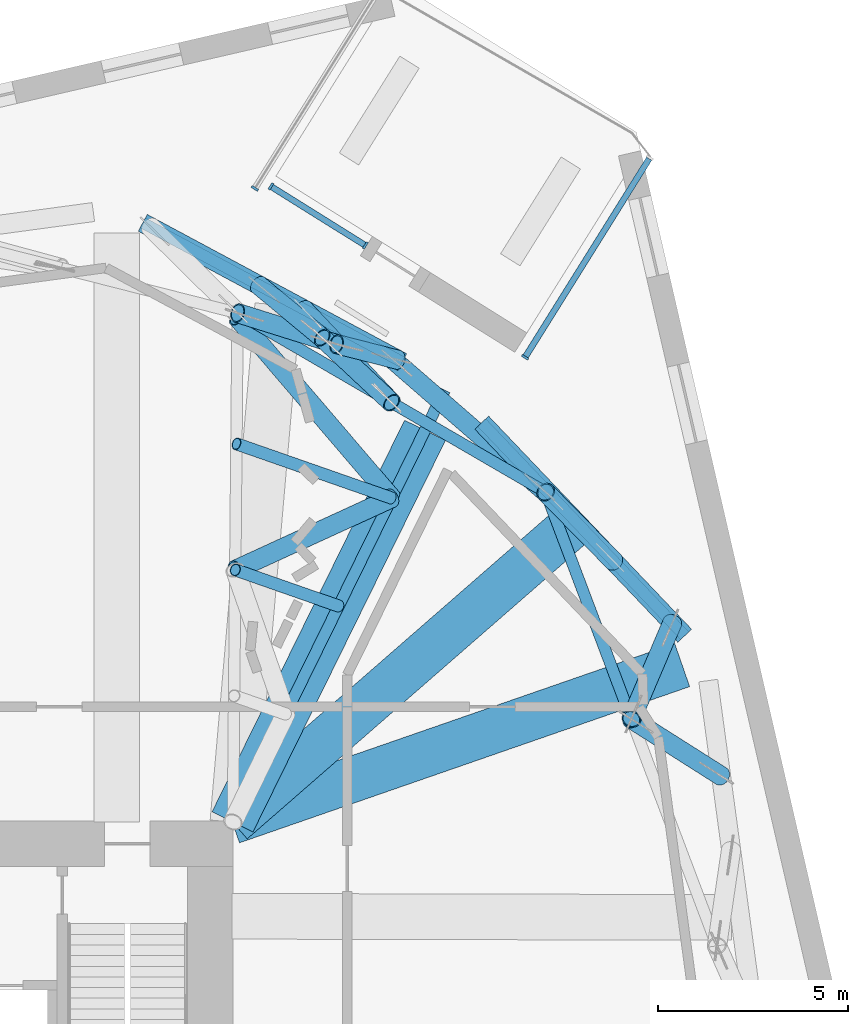
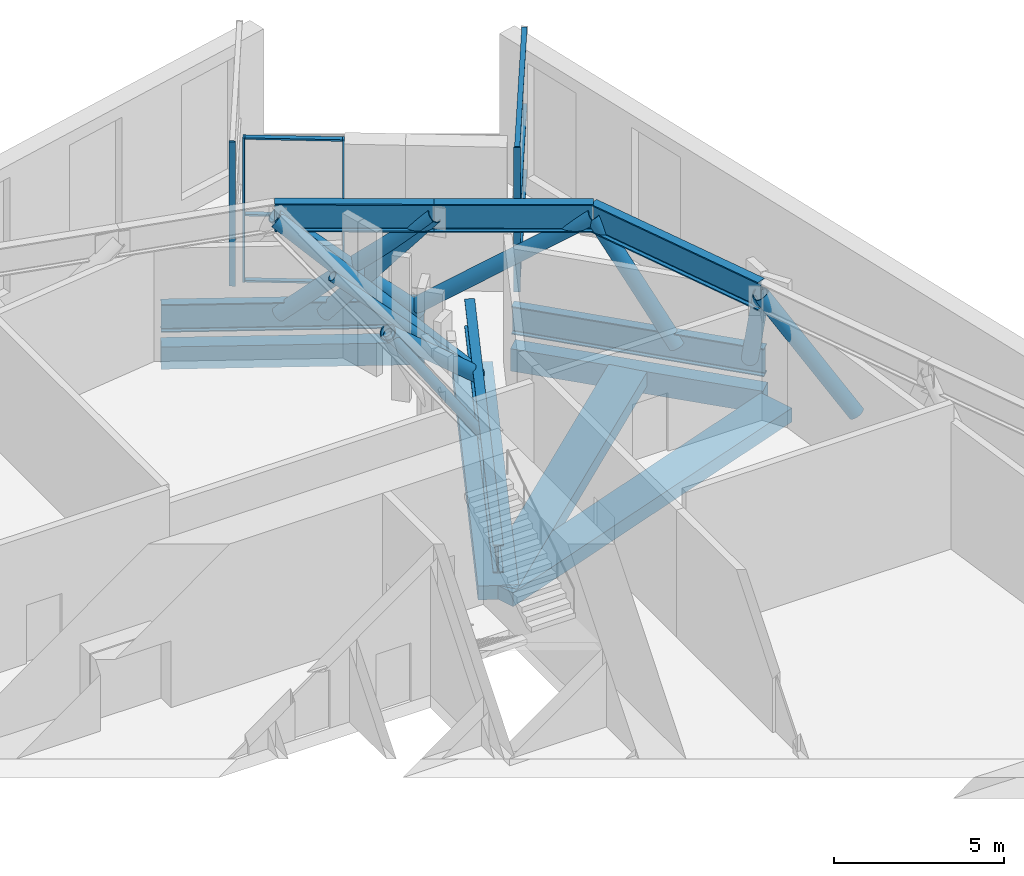
# One storey, part 4 of 17: 23 members, 11 beams, 3 elements without a shape of their own.
"""IFC4 building model written with IfcOpenShell, lengths in metres."""

from ifc_helpers import new_model, si_unit, direction, frame, origin, origin_2d, place, context, subcontext, project, spatial, rectangle, hollow_circle, i_section, extrude, material, material_profile, profile_set, type_object, element, aggregate, save


model = new_model("IFC4")

# Units and contexts
model_context = context("Model", 3, precision=1e-05, world=origin(), true_north=direction((0.0, 1.0)))
body_context = subcontext(model_context, "Body", "Model", "MODEL_VIEW")
ifc_project = project(units=[si_unit("LENGTHUNIT", "METRE"), si_unit("AREAUNIT", "SQUARE_METRE"), si_unit("VOLUMEUNIT", "CUBIC_METRE"), si_unit("PLANEANGLEUNIT", "RADIAN"), si_unit("MASSUNIT", "GRAM", prefix="KILO")], contexts=[model_context])

# Site, building, storey
site_placement = place(None, origin())
site = spatial("IfcSite", under=ifc_project, at=site_placement, CompositionType="ELEMENT")
building_placement = place(site_placement, origin())
building = spatial("IfcBuilding", under=site, at=building_placement, Name="Dilmun Exchange Tower", CompositionType="ELEMENT")
storey_placement = place(building_placement, frame((0.0, 0.0, 76.5)))
storey = spatial("IfcBuildingStorey", under=building, at=storey_placement, Name="L17", CompositionType="ELEMENT", Elevation=76.5)

# Curtain wall, member
ifc_material_1 = material(Name="Anodised aluminium and clear glass", Category="aluminium")
curtain_wall_type = type_object("IfcCurtainWallType", Name="Garden corner glazing", PredefinedType="NOTDEFINED", material=ifc_material_1)
curtain_wall_1_placement = place(storey_placement, origin())
curtain_wall_1 = element("IfcCurtainWall", 1, at=curtain_wall_1_placement, inside=storey, type_object=curtain_wall_type, Name="Garden corner glazing run GC1.1", PredefinedType="NOTDEFINED")
ifc_material_2 = material(Name="Anodised aluminium", Category="aluminium")
ifc_material_profile_1 = material_profile(ifc_material_2, rectangle(XDim=0.199951171875, YDim=0.06005859375, at=origin_2d()), Name="AL 60x200")
ifc_profile_set_1 = profile_set([ifc_material_profile_1], Name="Anodised aluminium")
member_type_1 = type_object("IfcMemberType", Name="Garden corner glazing mullion 60 x 200", PredefinedType="MULLION", material=ifc_profile_set_1)
member_1_placement = place(storey_placement, frame((20.679931640625, 25.189697265625, 0.0), z_axis=(0.0, 0.0, 1.0), x_axis=(0.8480495651, -0.529916913426, 0.0)))
member_1 = element("IfcMember", 2, at=member_1_placement, type_object=member_type_1, Name="GC1.1 mullion 2", PredefinedType="MULLION", context=body_context, shape_type="SweptSolid", body=[
    extrude(rectangle(XDim=0.199951171875, YDim=0.06005859375, at=origin_2d()), origin(), (0.0, 0.0, 1.0), 5.179931640625),
])

# Curtain wall, members
curtain_wall_2_placement = place(storey_placement, origin())
curtain_wall_2 = element("IfcCurtainWall", 3, at=curtain_wall_2_placement, inside=storey, type_object=curtain_wall_type, Name="Garden corner glazing run GC2.3", PredefinedType="NOTDEFINED")
member_2_placement = place(storey_placement, frame((16.48193359375, 28.131591796875, 0.0), z_axis=(0.0, 0.0, 1.0), x_axis=(-0.529899697959, -0.848060322207, 0.0)))
member_2 = element("IfcMember", 4, at=member_2_placement, type_object=member_type_1, Name="GC2.3 mullion 1", PredefinedType="MULLION", context=body_context, shape_type="SweptSolid", body=[
    extrude(rectangle(XDim=0.199951171875, YDim=0.06005859375, at=origin_2d()), origin(), (0.0, 0.0, 1.0), 5.179931640625),
])
member_3_placement = place(storey_placement, frame((13.997802734375, 29.68359375, 0.0), z_axis=(0.0, 0.0, 1.0), x_axis=(-0.529899697959, -0.848060322207, 0.0)))
member_3 = element("IfcMember", 5, at=member_3_placement, type_object=member_type_1, Name="GC2.3 mullion 2", PredefinedType="MULLION", context=body_context, shape_type="SweptSolid", body=[
    extrude(rectangle(XDim=0.199951171875, YDim=0.06005859375, at=origin_2d()), origin(), (0.0, 0.0, 1.0), 5.179931640625),
])

# Curtain wall, member
curtain_wall_3_placement = place(storey_placement, origin())
curtain_wall_3 = element("IfcCurtainWall", 6, at=curtain_wall_3_placement, inside=storey, type_object=curtain_wall_type, Name="Garden corner glazing run GC3.1", PredefinedType="NOTDEFINED")
member_4_placement = place(storey_placement, frame((13.574951171875, 29.629638671875, 0.0), z_axis=(0.0, 0.0, 1.0), x_axis=(-0.8480495651, 0.529916913426, 0.0)))
member_4 = element("IfcMember", 7, at=member_4_placement, type_object=member_type_1, Name="GC3.1 mullion 1", PredefinedType="MULLION", context=body_context, shape_type="SweptSolid", body=[
    extrude(rectangle(XDim=0.199951171875, YDim=0.06005859375, at=origin_2d()), origin(), (0.0, 0.0, 1.0), 5.179931640625),
])
aggregate(curtain_wall_3, [member_4])

# Member
ifc_material_profile_2 = material_profile(ifc_material_2, rectangle(XDim=0.159912109375, YDim=0.06005859375, at=origin_2d()), Name="AL 60x160")
ifc_profile_set_2 = profile_set([ifc_material_profile_2], Name="Anodised aluminium")
member_type_2 = type_object("IfcMemberType", Name="Garden corner glazing transom 60 x 160", PredefinedType="USERDEFINED", material=ifc_profile_set_2)
member_5_placement = place(storey_placement, frame((23.9423828125, 30.41064453125, 0.030029296875), z_axis=(-0.529923715671, -0.848045314573, 0.0), x_axis=(0.848045314573, -0.529923715671, 0.0)))
member_5 = element("IfcMember", 8, at=member_5_placement, type_object=member_type_2, Name="GC1.1 transom 1.1", ObjectType="TRANSOM", PredefinedType="USERDEFINED", context=body_context, shape_type="SweptSolid", body=[
    extrude(rectangle(XDim=0.159912109375, YDim=0.06005859375, at=origin_2d()), origin(), (0.0, 0.0, 1.0), 6.12646484375),
])

member_6_placement = place(storey_placement, frame((23.9423828125, 30.41064453125, 2.39990234375), z_axis=(-0.529923715671, -0.848045314573, 0.0), x_axis=(0.848045314573, -0.529923715671, 0.0)))
member_6 = element("IfcMember", 9, at=member_6_placement, type_object=member_type_2, Name="GC1.1 transom 1.2", ObjectType="TRANSOM", PredefinedType="USERDEFINED", context=body_context, shape_type="SweptSolid", body=[
    extrude(rectangle(XDim=0.159912109375, YDim=0.06005859375, at=origin_2d()), origin(), (0.0, 0.0, 1.0), 6.12646484375),
])

member_7_placement = place(storey_placement, frame((23.9423828125, 30.41064453125, 5.14990234375), z_axis=(-0.529923715671, -0.848045314573, 0.0), x_axis=(0.848045314573, -0.529923715671, 0.0)))
member_7 = element("IfcMember", 10, at=member_7_placement, type_object=member_type_2, Name="GC1.1 transom 1.3", ObjectType="TRANSOM", PredefinedType="USERDEFINED", context=body_context, shape_type="SweptSolid", body=[
    extrude(rectangle(XDim=0.159912109375, YDim=0.06005859375, at=origin_2d()), origin(), (0.0, 0.0, 1.0), 6.12646484375),
])

aggregate(curtain_wall_1, [member_1, member_5, member_6, member_7])

member_8_placement = place(storey_placement, frame((16.456298828125, 28.1474609375, 0.030029296875), z_axis=(-0.848065226563, 0.529891848867, 0.0), x_axis=(-0.529891848867, -0.848065226563, 0.0)))
member_8 = element("IfcMember", 11, at=member_8_placement, type_object=member_type_2, Name="GC2.3 transom 1.1", ObjectType="TRANSOM", PredefinedType="USERDEFINED", context=body_context, shape_type="SweptSolid", body=[
    extrude(rectangle(XDim=0.159912109375, YDim=0.06005859375, at=origin_2d()), origin(), (0.0, 0.0, 1.0), 2.868896484375),
])

member_9_placement = place(storey_placement, frame((16.456298828125, 28.1474609375, 2.39990234375), z_axis=(-0.848065226563, 0.529891848867, 0.0), x_axis=(-0.529891848867, -0.848065226563, 0.0)))
member_9 = element("IfcMember", 12, at=member_9_placement, type_object=member_type_2, Name="GC2.3 transom 1.2", ObjectType="TRANSOM", PredefinedType="USERDEFINED", context=body_context, shape_type="SweptSolid", body=[
    extrude(rectangle(XDim=0.159912109375, YDim=0.06005859375, at=origin_2d()), origin(), (0.0, 0.0, 1.0), 2.868896484375),
])

member_10_placement = place(storey_placement, frame((16.456298828125, 28.1474609375, 5.14990234375), z_axis=(-0.848065226563, 0.529891848867, 0.0), x_axis=(-0.529891848867, -0.848065226563, 0.0)))
member_10 = element("IfcMember", 13, at=member_10_placement, type_object=member_type_2, Name="GC2.3 transom 1.3", ObjectType="TRANSOM", PredefinedType="USERDEFINED", context=body_context, shape_type="SweptSolid", body=[
    extrude(rectangle(XDim=0.159912109375, YDim=0.06005859375, at=origin_2d()), origin(), (0.0, 0.0, 1.0), 2.868896484375),
])

aggregate(curtain_wall_2, [member_2, member_3, member_8, member_9, member_10])

# Beams
ifc_material_3 = material(Name="Concrete C40/50", Category="concrete")
ifc_material_profile_3 = material_profile(ifc_material_3, rectangle(XDim=1.199951171875, YDim=0.5, at=origin_2d()), Name="1200 x 500")
ifc_profile_set_3 = profile_set([ifc_material_profile_3], Name="Concrete C40/50")
beam_type_1 = type_object("IfcBeamType", Name="RC band beam 1200 x 500 C40/50", PredefinedType="BEAM", material=ifc_profile_set_3)
beam_1_placement = place(storey_placement, frame((18.049560546875, 23.272216796875, -0.699951171875), z_axis=(-0.44116009834, -0.897428419225, 0.0), x_axis=(0.897428419225, -0.44116009834, 0.0)))
element("IfcBeam", 14, at=beam_1_placement, inside=storey, type_object=beam_type_1, Name="Band beam 1", PredefinedType="BEAM", context=body_context, shape_type="SweptSolid", body=[
    extrude(rectangle(XDim=1.199951171875, YDim=0.5, at=origin_2d()), origin(), (0.0, 0.0, 1.0), 11.47314453125),
])
beam_2_placement = place(storey_placement, frame((24.81103515625, 17.098388671875, -0.699951171875), z_axis=(-0.94474023201, -0.327819910959, 0.0), x_axis=(0.327819910959, -0.94474023201, 0.0)))
element("IfcBeam", 15, at=beam_2_placement, inside=storey, type_object=beam_type_1, Name="Band beam 16", PredefinedType="BEAM", context=body_context, shape_type="SweptSolid", body=[
    extrude(rectangle(XDim=1.199951171875, YDim=0.5, at=origin_2d()), origin(), (0.0, 0.0, 1.0), 12.52880859375),
])
beam_3_placement = place(storey_placement, frame((21.85546875, 20.71826171875, -0.699951171875), z_axis=(-0.75384567582, -0.657051517803, 0.0), x_axis=(0.657051517803, -0.75384567582, 0.0)))
element("IfcBeam", 16, at=beam_3_placement, inside=storey, type_object=beam_type_1, Name="Band beam 32", PredefinedType="BEAM", context=body_context, shape_type="SweptSolid", body=[
    extrude(rectangle(XDim=1.199951171875, YDim=0.5, at=origin_2d()), origin(), (0.0, 0.0, 1.0), 11.77392578125),
])
ifc_material_profile_4 = material_profile(ifc_material_3, rectangle(XDim=0.5, YDim=0.800048828125, at=origin_2d()), Name="500 x 800")
ifc_profile_set_4 = profile_set([ifc_material_profile_4], Name="Concrete C40/50")
beam_type_2 = type_object("IfcBeamType", Name="RC ring beam 500 x 800 C40/50", PredefinedType="SPANDREL", material=ifc_profile_set_4)
beam_4_placement = place(storey_placement, frame((17.44921875, 25.06640625, -0.85009765625), z_axis=(-0.881161870548, 0.472814718354, 0.0), x_axis=(-0.472814718354, -0.881161870548, 0.0)))
element("IfcBeam", 17, at=beam_4_placement, inside=storey, type_object=beam_type_2, Name="Ring beam 1", PredefinedType="SPANDREL", context=body_context, shape_type="SweptSolid", body=[
    extrude(rectangle(XDim=0.5, YDim=0.800048828125, at=origin_2d()), origin(), (0.0, 0.0, 1.0), 7.74072265625),
])
beam_5_placement = place(storey_placement, frame((24.877197265625, 17.86865234375, -0.85009765625), z_axis=(-0.689624451134, 0.724167188154, 0.0), x_axis=(-0.724167188154, -0.689624451134, 0.0)))
element("IfcBeam", 18, at=beam_5_placement, inside=storey, type_object=beam_type_2, Name="Ring beam 16", PredefinedType="SPANDREL", context=body_context, shape_type="SweptSolid", body=[
    extrude(rectangle(XDim=0.5, YDim=0.800048828125, at=origin_2d()), origin(), (0.0, 0.0, 1.0), 7.7392578125),
])
ifc_material_4 = material(Name="Steel S355", Category="steel")
ifc_material_profile_5 = material_profile(ifc_material_4, i_section(OverallWidth=0.300048828125, OverallDepth=1.0, WebThickness=0.01904296875, FlangeThickness=0.035888671875, FilletRadius=0.030029296875, at=origin_2d()), Name="HEB 1000")
ifc_profile_set_5 = profile_set([ifc_material_profile_5], Name="Steel S355")
beam_type_3 = type_object("IfcBeamType", Name="belt bottom chord HEB 1000", PredefinedType="BEAM", material=ifc_profile_set_5)
beam_6_placement = place(storey_placement, frame((17.44921875, 25.06640625, 0.5), z_axis=(-0.881161870548, 0.472814718354, 0.0), x_axis=(-0.472814718354, -0.881161870548, 0.0)))
element("IfcBeam", 19, at=beam_6_placement, inside=storey, type_object=beam_type_3, Name="Belt bottom chord 1", PredefinedType="BEAM", context=body_context, shape_type="SweptSolid", body=[
    extrude(i_section(OverallWidth=0.300048828125, OverallDepth=1.0, WebThickness=0.01904296875, FlangeThickness=0.035888671875, FilletRadius=0.030029296875, at=origin_2d()), origin(), (0.0, 0.0, 1.0), 7.74072265625),
])
beam_7_placement = place(storey_placement, frame((24.877197265625, 17.86865234375, 0.5), z_axis=(-0.689624451134, 0.724167188154, 0.0), x_axis=(-0.724167188154, -0.689624451134, 0.0)))
element("IfcBeam", 20, at=beam_7_placement, inside=storey, type_object=beam_type_3, Name="Belt bottom chord 16", PredefinedType="BEAM", context=body_context, shape_type="SweptSolid", body=[
    extrude(i_section(OverallWidth=0.300048828125, OverallDepth=1.0, WebThickness=0.01904296875, FlangeThickness=0.035888671875, FilletRadius=0.030029296875, at=origin_2d()), origin(), (0.0, 0.0, 1.0), 7.7392578125),
])
ifc_material_profile_6 = material_profile(ifc_material_4, i_section(OverallWidth=0.300048828125, OverallDepth=1.0, WebThickness=0.01904296875, FlangeThickness=0.035888671875, FilletRadius=0.030029296875, at=origin_2d()), Name="HEB 1000")
ifc_profile_set_6 = profile_set([ifc_material_profile_6], Name="Steel S355")
beam_type_4 = type_object("IfcBeamType", Name="outrigger chord HEB 1000", PredefinedType="BEAM", material=ifc_profile_set_6)
beam_8_placement = place(storey_placement, frame((12.988037109375, 12.975830078125, 0.5), z_axis=(0.44114230159, 0.897437167577, 0.0), x_axis=(-0.897437167577, 0.44114230159, 0.0)))
element("IfcBeam", 21, at=beam_8_placement, inside=storey, type_object=beam_type_4, Name="Outrigger bottom chord 1", PredefinedType="BEAM", context=body_context, shape_type="SweptSolid", body=[
    extrude(i_section(OverallWidth=0.300048828125, OverallDepth=1.0, WebThickness=0.01904296875, FlangeThickness=0.035888671875, FilletRadius=0.030029296875, at=origin_2d()), origin(), (0.0, 0.0, 1.0), 12.64794921875),
])

# Members
ifc_material_profile_7 = material_profile(ifc_material_4, hollow_circle(Radius=0.161865234375, WallThickness=0.01611328125, at=origin_2d()), Name="CHS 323.9x16")
ifc_profile_set_7 = profile_set([ifc_material_profile_7], Name="Steel S355")
member_type_3 = type_object("IfcMemberType", Name="outrigger post CHS 323.9x16", PredefinedType="POST", material=ifc_profile_set_7)
member_11_placement = place(storey_placement, frame((13.060302734375, 19.6015625, 4.580078125), z_axis=(0.544210107811, -0.190334197261, -0.817072978325), x_axis=(0.330135105333, 0.943933690588, 0.0)))
element("IfcMember", 22, at=member_11_placement, inside=storey, type_object=member_type_3, Name="Outrigger post 1.2", PredefinedType="POST", context=body_context, shape_type="SweptSolid", body=[
    extrude(hollow_circle(Radius=0.161865234375, WallThickness=0.01611328125, at=origin_2d()), origin(), (0.0, 0.0, 1.0), 4.993408203125),
])
member_12_placement = place(storey_placement, frame((13.090576171875, 22.915771484375, 4.580078125), z_axis=(0.686628838377, -0.239977210183, -0.686259263618), x_axis=(0.32993042781, 0.944005250412, 0.0)))
element("IfcMember", 23, at=member_12_placement, inside=storey, type_object=member_type_3, Name="Outrigger post 1.3", PredefinedType="POST", context=body_context, shape_type="SweptSolid", body=[
    extrude(hollow_circle(Radius=0.161865234375, WallThickness=0.01611328125, at=origin_2d()), origin(), (0.0, 0.0, 1.0), 5.9453125),
])

# Beams
ifc_material_profile_8 = material_profile(ifc_material_4, i_section(OverallWidth=0.302001953125, OverallDepth=1.008056640625, WebThickness=0.02099609375, FlangeThickness=0.0400390625, FilletRadius=0.030029296875, at=origin_2d()), Name="HEM 1000")
ifc_profile_set_8 = profile_set([ifc_material_profile_8], Name="Steel S355")
beam_type_5 = type_object("IfcBeamType", Name="transfer chord HEM 1000", PredefinedType="BEAM", material=ifc_profile_set_8)
beam_9_placement = place(storey_placement, frame((23.473388671875, 15.680908203125, 4.676025390625), z_axis=(-0.353308967023, 0.935506693627, 0.0), x_axis=(-0.935506693627, -0.353308967023, 0.0)))
element("IfcBeam", 24, at=beam_9_placement, inside=storey, type_object=beam_type_5, Name="Transfer chord 30", PredefinedType="BEAM", context=body_context, shape_type="SweptSolid", body=[
    extrude(i_section(OverallWidth=0.302001953125, OverallDepth=1.008056640625, WebThickness=0.02099609375, FlangeThickness=0.0400390625, FilletRadius=0.030029296875, at=origin_2d()), origin(), (0.0, 0.0, 1.0), 6.375244140625),
])
beam_10_placement = place(storey_placement, frame((21.220947265625, 21.64501953125, 4.676025390625), z_axis=(-0.864498233198, 0.502635857055, 0.0), x_axis=(-0.502635857055, -0.864498233198, 0.0)))
element("IfcBeam", 25, at=beam_10_placement, inside=storey, type_object=beam_type_5, Name="Transfer chord 31", PredefinedType="BEAM", context=body_context, shape_type="SweptSolid", body=[
    extrude(i_section(OverallWidth=0.302001953125, OverallDepth=1.008056640625, WebThickness=0.02099609375, FlangeThickness=0.0400390625, FilletRadius=0.030029296875, at=origin_2d()), origin(), (0.0, 0.0, 1.0), 4.684326171875),
])
beam_11_placement = place(storey_placement, frame((17.17138671875, 23.99951171875, 4.676025390625), z_axis=(-0.864485064812, 0.502658505067, 0.0), x_axis=(-0.502658505067, -0.864485064812, 0.0)))
element("IfcBeam", 26, at=beam_11_placement, inside=storey, type_object=beam_type_5, Name="Transfer chord 32", PredefinedType="BEAM", context=body_context, shape_type="SweptSolid", body=[
    extrude(i_section(OverallWidth=0.302001953125, OverallDepth=1.008056640625, WebThickness=0.02099609375, FlangeThickness=0.0400390625, FilletRadius=0.030029296875, at=origin_2d()), origin(), (0.0, 0.0, 1.0), 4.68408203125),
])

# Members
ifc_material_profile_9 = material_profile(ifc_material_4, hollow_circle(Radius=0.25390625, WallThickness=0.030029296875, at=origin_2d()), Name="CHS 508x30")
ifc_profile_set_9 = profile_set([ifc_material_profile_9], Name="Steel S355")
member_type_4 = type_object("IfcMemberType", Name="truss diagonal CHS 508x30", PredefinedType="BRACE", material=ifc_profile_set_9)
member_13_placement = place(storey_placement, frame((13.1220703125, 26.35400390625, 4.676025390625), z_axis=(0.688678005253, -0.216136954441, -0.692103620859), x_axis=(0.299442375471, 0.954114387153, 0.0)))
element("IfcMember", 27, at=member_13_placement, inside=storey, type_object=member_type_4, Name="Truss diagonal 2", PredefinedType="BRACE", context=body_context, shape_type="SweptSolid", body=[
    extrude(hollow_circle(Radius=0.25390625, WallThickness=0.030029296875, at=origin_2d()), origin(), (0.0, 0.0, 1.0), 3.77734375),
])
member_14_placement = place(storey_placement, frame((15.723388671875, 25.53759765625, 2.061767578125), z_axis=(0.708170857444, -0.181336113519, -0.682357128343), x_axis=(0.248059377982, 0.968744829661, 0.0)))
element("IfcMember", 28, at=member_14_placement, inside=storey, type_object=member_type_4, Name="Truss diagonal 2B", PredefinedType="BRACE", context=body_context, shape_type="SweptSolid", body=[
    extrude(hollow_circle(Radius=0.25390625, WallThickness=0.030029296875, at=origin_2d()), origin(), (0.0, 0.0, 1.0), 2.288818359375),
])
member_15_placement = place(storey_placement, frame((23.473388671875, 15.680908203125, 4.676025390625), z_axis=(0.215567275799, 0.505984978279, -0.835170612127), x_axis=(-0.919987820352, 0.391946948456, 0.0)))
element("IfcMember", 29, at=member_15_placement, inside=storey, type_object=member_type_4, Name="Truss diagonal 59", PredefinedType="BRACE", context=body_context, shape_type="SweptSolid", body=[
    extrude(hollow_circle(Radius=0.25390625, WallThickness=0.030029296875, at=origin_2d()), origin(), (0.0, 0.0, 1.0), 5.000244140625),
])
member_16_placement = place(storey_placement, frame((23.473388671875, 15.680908203125, 4.676025390625), z_axis=(0.469743076161, -0.297955764412, -0.831001687635), x_axis=(0.535631655677, 0.844451733041, 0.0)))
element("IfcMember", 30, at=member_16_placement, inside=storey, type_object=member_type_4, Name="Truss diagonal 60", PredefinedType="BRACE", context=body_context, shape_type="SweptSolid", body=[
    extrude(hollow_circle(Radius=0.25390625, WallThickness=0.030029296875, at=origin_2d()), origin(), (0.0, 0.0, 1.0), 5.025390625),
])
member_17_placement = place(storey_placement, frame((21.220947265625, 21.64501953125, 4.676025390625), z_axis=(-0.607447395487, 0.527287210976, -0.594117714646), x_axis=(-0.655521583099, -0.755176439046, 0.0)))
element("IfcMember", 31, at=member_17_placement, inside=storey, type_object=member_type_4, Name="Truss diagonal 61", PredefinedType="BRACE", context=body_context, shape_type="SweptSolid", body=[
    extrude(hollow_circle(Radius=0.25390625, WallThickness=0.030029296875, at=origin_2d()), origin(), (0.0, 0.0, 1.0), 6.70361328125),
])
member_18_placement = place(storey_placement, frame((21.220947265625, 21.64501953125, 4.676025390625), z_axis=(0.365819929621, -0.37125833283, -0.853430154961), x_axis=(0.7123046565, 0.701870412775, 0.0)))
element("IfcMember", 32, at=member_18_placement, inside=storey, type_object=member_type_4, Name="Truss diagonal 62", PredefinedType="BRACE", context=body_context, shape_type="SweptSolid", body=[
    extrude(hollow_circle(Radius=0.25390625, WallThickness=0.030029296875, at=origin_2d()), origin(), (0.0, 0.0, 1.0), 4.893310546875),
])
member_19_placement = place(storey_placement, frame((17.17138671875, 23.99951171875, 4.676025390625), z_axis=(-0.430804714336, 0.457633380312, -0.777803951732), x_axis=(-0.728127771663, -0.685441425749, 0.0)))
element("IfcMember", 33, at=member_19_placement, inside=storey, type_object=member_type_4, Name="Truss diagonal 63", PredefinedType="BRACE", context=body_context, shape_type="SweptSolid", body=[
    extrude(hollow_circle(Radius=0.25390625, WallThickness=0.030029296875, at=origin_2d()), origin(), (0.0, 0.0, 1.0), 5.368896484375),
])
member_20_placement = place(storey_placement, frame((17.17138671875, 23.99951171875, 4.676025390625), z_axis=(-0.548169059458, 0.512377448405, -0.661044652515), x_axis=(-0.682854393433, -0.730554499931, 0.0)))
element("IfcMember", 34, at=member_20_placement, inside=storey, type_object=member_type_4, Name="Truss diagonal 64", PredefinedType="BRACE", context=body_context, shape_type="SweptSolid", body=[
    extrude(hollow_circle(Radius=0.25390625, WallThickness=0.030029296875, at=origin_2d()), origin(), (0.0, 0.0, 1.0), 3.32861328125),
])
member_21_placement = place(storey_placement, frame((15.3466796875, 25.705078125, 2.4755859375), z_axis=(-0.570518167931, 0.472568009607, -0.671705661996), x_axis=(-0.637900166923, -0.770119066794, 0.0)))
element("IfcMember", 35, at=member_21_placement, inside=storey, type_object=member_type_4, Name="Truss diagonal 64B", PredefinedType="BRACE", context=body_context, shape_type="SweptSolid", body=[
    extrude(hollow_circle(Radius=0.25390625, WallThickness=0.030029296875, at=origin_2d()), origin(), (0.0, 0.0, 1.0), 2.941162109375),
])
member_22_placement = place(storey_placement, frame((13.060302734375, 19.6015625, 4.580078125), z_axis=(0.674981804562, 0.309782388309, -0.669652473603), x_axis=(-0.41711725086, 0.908852682801, 0.0)))
element("IfcMember", 36, at=member_22_placement, inside=storey, type_object=member_type_4, Name="Outrigger diagonal 1.2", PredefinedType="BRACE", context=body_context, shape_type="SweptSolid", body=[
    extrude(hollow_circle(Radius=0.25390625, WallThickness=0.030029296875, at=origin_2d()), origin(), (0.0, 0.0, 1.0), 6.0927734375),
])
member_23_placement = place(storey_placement, frame((13.120849609375, 26.22998046875, 4.580078125), z_axis=(0.543696881845, -0.636142058718, -0.547464137458), x_axis=(0.760181528563, 0.64971073843, 0.0)))
element("IfcMember", 37, at=member_23_placement, inside=storey, type_object=member_type_4, Name="Outrigger diagonal 1.3", PredefinedType="BRACE", context=body_context, shape_type="SweptSolid", body=[
    extrude(hollow_circle(Radius=0.25390625, WallThickness=0.030029296875, at=origin_2d()), origin(), (0.0, 0.0, 1.0), 7.45263671875),
])

save(model, "model.ifc")
